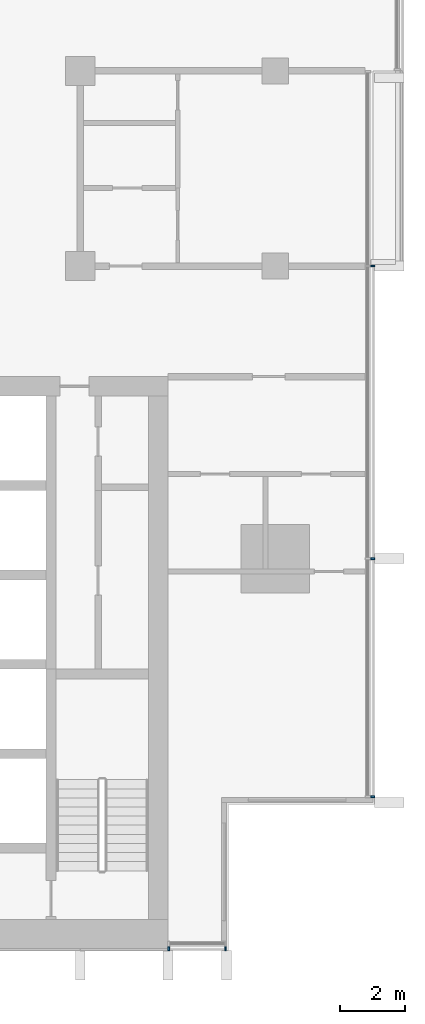
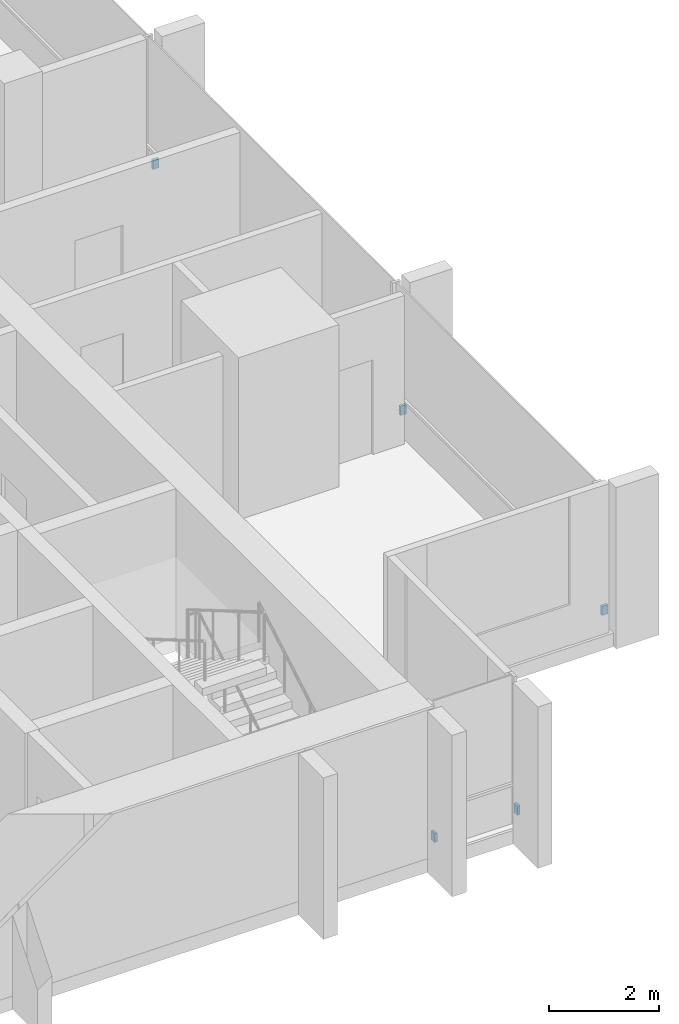
# One storey, part 12 of 15: 5 discrete accessories.
"""IFC4 building model written with IfcOpenShell, lengths in metres."""

from ifc_helpers import new_model, si_unit, direction, frame, origin, origin_2d, place, context, subcontext, project, spatial, rectangle, extrude, material, type_object, element, save


model = new_model("IFC4")

# Units and contexts
model_context = context("Model", 3, precision=1e-05, world=origin(), true_north=direction((0.0, 1.0)))
body_context = subcontext(model_context, "Body", "Model", "MODEL_VIEW")
ifc_project = project(units=[si_unit("LENGTHUNIT", "METRE"), si_unit("AREAUNIT", "SQUARE_METRE"), si_unit("VOLUMEUNIT", "CUBIC_METRE"), si_unit("PLANEANGLEUNIT", "RADIAN"), si_unit("MASSUNIT", "GRAM", prefix="KILO")], contexts=[model_context])

# Site, building, storey
site_placement = place(None, origin())
site = spatial("IfcSite", under=ifc_project, at=site_placement, CompositionType="ELEMENT")
building_placement = place(site_placement, origin())
building = spatial("IfcBuilding", under=site, at=building_placement, Name="Finial Court Residences", CompositionType="ELEMENT")
storey_placement = place(building_placement, frame((0.0, 0.0, 226.699951171875)))
storey = spatial("IfcBuildingStorey", under=building, at=storey_placement, Name="L57", CompositionType="ELEMENT", Elevation=226.699951171875)

# Discrete accessories
ifc_material = material(Name="Stainless steel 316", Category="steel")
discrete_accessory_type = type_object("IfcDiscreteAccessoryType", Name="Fin bracket, stainless steel 60 x 122 x 200", PredefinedType="BRACKET", material=ifc_material)
for number, where, z_axis, x_axis, name in (
    (1, (19.498779296875, -20.820068359375, 0.30029296875), (0.0, 0.0, 1.0), (1.0, 0.0, 0.0), "E-L57-FIN-E7-BRK"),
    (2, (19.498779296875, -13.5, 0.30029296875), (0.0, 0.0, 1.0), (1.0, 0.0, 0.0), "E-L57-FIN-E8-BRK"),
    (3, (19.498779296875, -4.5, 0.30029296875), (0.0, 0.0, 1.0), (1.0, 0.0, 0.0), "E-L57-FIN-E9-BRK"),
):
    element("IfcDiscreteAccessory", number, at=place(storey_placement, frame(where, z_axis=z_axis, x_axis=x_axis)), inside=storey, type_object=discrete_accessory_type, Name=name, PredefinedType="BRACKET", context=body_context, shape_type="SweptSolid", body=[
        extrude(rectangle(XDim=0.12255859375, YDim=0.06005859375, at=origin_2d()), origin(), (0.0, 0.0, 1.0), 0.199951171875),
    ])
for number, where, z_axis, x_axis, name in (
    (4, (13.22998046875, -25.498779296875, 0.30029296875), (0.0, 0.0, 1.0), (1.0, 0.0, 0.0), "E-L57-FIN-S19-BRK"),
    (5, (14.969970703125, -25.498779296875, 0.30029296875), (0.0, 0.0, 1.0), (1.0, 0.0, 0.0), "E-L57-FIN-S20-BRK"),
):
    element("IfcDiscreteAccessory", number, at=place(storey_placement, frame(where, z_axis=z_axis, x_axis=x_axis)), inside=storey, type_object=discrete_accessory_type, Name=name, PredefinedType="BRACKET", context=body_context, shape_type="SweptSolid", body=[
        extrude(rectangle(XDim=0.06005859375, YDim=0.12255859375, at=origin_2d()), origin(), (0.0, 0.0, 1.0), 0.199951171875),
    ])

save(model, "model.ifc")
